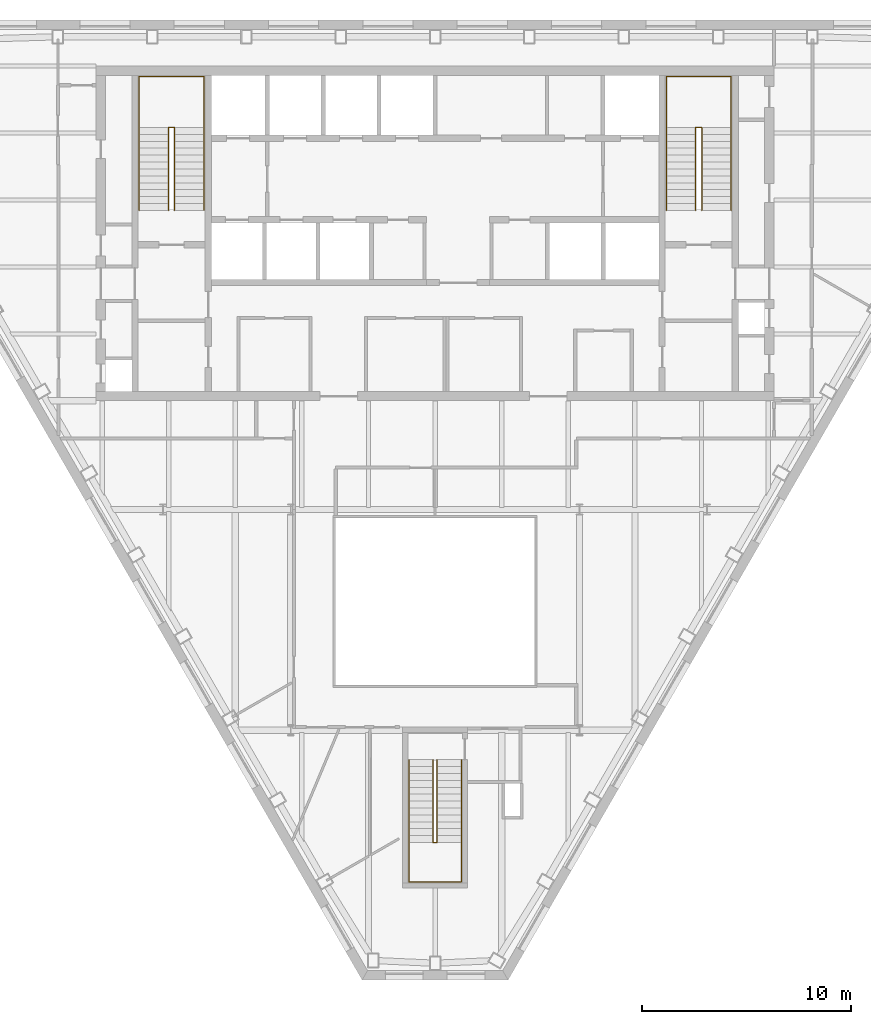
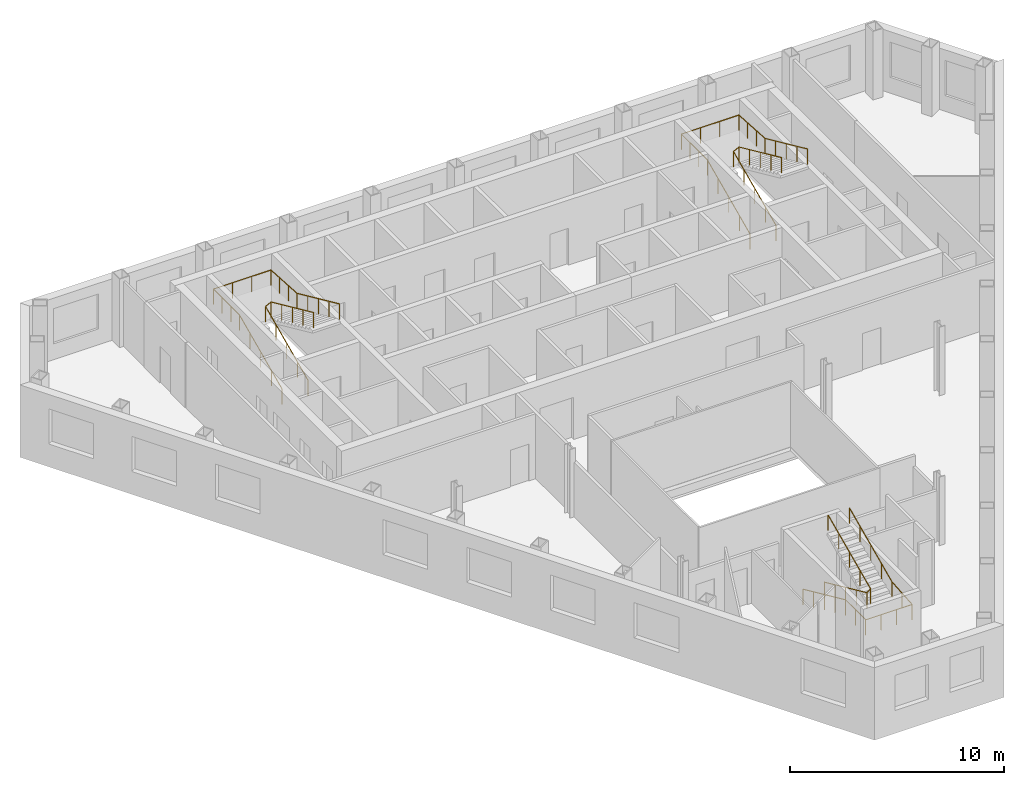
# One storey, part 11 of 11: 6 railings.
"""IFC4 building model written with IfcOpenShell, lengths in metres."""

from ifc_helpers import new_model, si_unit, direction, frame, origin, origin_2d, place, context, subcontext, project, spatial, circle, extrude, material, type_object, element, save


model = new_model("IFC4")

# Units and contexts
model_context = context("Model", 3, precision=1e-05, world=origin(), true_north=direction((0.0, 1.0)))
body_context = subcontext(model_context, "Body", "Model", "MODEL_VIEW")
ifc_project = project(units=[si_unit("LENGTHUNIT", "METRE"), si_unit("AREAUNIT", "SQUARE_METRE"), si_unit("VOLUMEUNIT", "CUBIC_METRE"), si_unit("PLANEANGLEUNIT", "RADIAN"), si_unit("MASSUNIT", "GRAM", prefix="KILO")], contexts=[model_context])

# Site, building, storey
site_placement = place(None, origin())
site = spatial("IfcSite", under=ifc_project, at=site_placement, CompositionType="ELEMENT")
building_placement = place(site_placement, origin())
building = spatial("IfcBuilding", under=site, at=building_placement, Name="Njiva Tower", CompositionType="ELEMENT")
storey_placement = place(building_placement, frame((0.0, 0.0, 223.8)))
storey = spatial("IfcBuildingStorey", under=building, at=storey_placement, Name="L50", CompositionType="ELEMENT", Elevation=223.8)

# Railings
ifc_material = material(Name="Stainless steel", Category="steel")
railing_type = type_object("IfcRailingType", Name="RL1 Stair handrail 900", PredefinedType="HANDRAIL", material=ifc_material)
railing_1_placement = place(storey_placement, frame((-14.15, 11.1, 0.15)))
element("IfcRailing", 1, at=railing_1_placement, inside=storey, type_object=railing_type, Name="Stair A handrail", PredefinedType="HANDRAIL", context=body_context, shape_type="SweptSolid", body=[
    extrude(circle(Radius=0.024, at=origin_2d()), frame((0.0, 0.0, 0.876), z_axis=(0.0, 0.910366477463, 0.413802944301), x_axis=(-1.0, 0.0, 0.0)), (0.0, 0.0, 1.0), 4.3499),
    extrude(circle(Radius=0.024, at=origin_2d()), frame((0.0, 3.96, 2.676), z_axis=(0.0, 1.0, 0.0), x_axis=(-1.0, 0.0, 0.0)), (0.0, 0.0, 1.0), 2.44),
    extrude(circle(Radius=0.024, at=origin_2d()), frame((0.0, 6.4, 2.676), z_axis=(1.0, 0.0, 0.0), x_axis=(0.0, 1.0, 0.0)), (0.0, 0.0, 1.0), 3.1),
    extrude(circle(Radius=0.024, at=origin_2d()), frame((3.1, 6.4, 2.676), z_axis=(0.0, -0.998115726137, 0.061359573328), x_axis=(1.0, 0.0, 0.0)), (0.0, 0.0, 1.0), 2.4446),
    extrude(circle(Radius=0.024, at=origin_2d()), frame((3.1, 3.96, 2.826), z_axis=(0.0, -0.910366477463, 0.413802944301), x_axis=(1.0, 0.0, 0.0)), (0.0, 0.0, 1.0), 4.3499),
    extrude(circle(Radius=0.021, at=origin_2d()), origin(), (0.0, 0.0, 1.0), 0.852),
    extrude(circle(Radius=0.021, at=origin_2d()), frame((0.0, 0.99, 0.45)), (0.0, 0.0, 1.0), 0.852),
    extrude(circle(Radius=0.021, at=origin_2d()), frame((0.0, 1.98, 0.9)), (0.0, 0.0, 1.0), 0.852),
    extrude(circle(Radius=0.021, at=origin_2d()), frame((0.0, 2.97, 1.35)), (0.0, 0.0, 1.0), 0.852),
    extrude(circle(Radius=0.021, at=origin_2d()), frame((0.0, 3.96, 1.8)), (0.0, 0.0, 1.0), 0.852),
    extrude(circle(Radius=0.021, at=origin_2d()), frame((0.0, 4.7733, 1.8)), (0.0, 0.0, 1.0), 0.852),
    extrude(circle(Radius=0.021, at=origin_2d()), frame((0.0, 5.5867, 1.8)), (0.0, 0.0, 1.0), 0.852),
    extrude(circle(Radius=0.021, at=origin_2d()), frame((0.0, 6.4, 1.8)), (0.0, 0.0, 1.0), 0.852),
    extrude(circle(Radius=0.021, at=origin_2d()), frame((1.0333, 6.4, 1.8)), (0.0, 0.0, 1.0), 0.852),
    extrude(circle(Radius=0.021, at=origin_2d()), frame((2.0667, 6.4, 1.8)), (0.0, 0.0, 1.0), 0.852),
    extrude(circle(Radius=0.021, at=origin_2d()), frame((3.1, 6.4, 1.8)), (0.0, 0.0, 1.0), 0.852),
    extrude(circle(Radius=0.021, at=origin_2d()), frame((3.1, 5.5867, 1.85)), (0.0, 0.0, 1.0), 0.852),
    extrude(circle(Radius=0.021, at=origin_2d()), frame((3.1, 4.7733, 1.9)), (0.0, 0.0, 1.0), 0.852),
    extrude(circle(Radius=0.021, at=origin_2d()), frame((3.1, 3.96, 1.95)), (0.0, 0.0, 1.0), 0.852),
    extrude(circle(Radius=0.021, at=origin_2d()), frame((3.1, 2.97, 2.4)), (0.0, 0.0, 1.0), 0.852),
    extrude(circle(Radius=0.021, at=origin_2d()), frame((3.1, 1.98, 2.85)), (0.0, 0.0, 1.0), 0.852),
    extrude(circle(Radius=0.021, at=origin_2d()), frame((3.1, 0.99, 3.3)), (0.0, 0.0, 1.0), 0.852),
    extrude(circle(Radius=0.021, at=origin_2d()), frame((3.1, 0.0, 3.75)), (0.0, 0.0, 1.0), 0.852),
])
railing_2_placement = place(storey_placement, frame((-12.75, 11.1, 0.15)))
element("IfcRailing", 2, at=railing_2_placement, inside=storey, type_object=railing_type, Name="Stair A handrail", PredefinedType="HANDRAIL", context=body_context, shape_type="SweptSolid", body=[
    extrude(circle(Radius=0.024, at=origin_2d()), frame((0.0, 0.0, 0.876), z_axis=(0.0, 0.910366477463, 0.413802944301), x_axis=(-1.0, 0.0, 0.0)), (0.0, 0.0, 1.0), 4.3499),
    extrude(circle(Radius=0.024, at=origin_2d()), frame((0.0, 3.96, 2.676), z_axis=(0.894427191, 0.0, 0.4472135955), x_axis=(0.0, 1.0, 0.0)), (0.0, 0.0, 1.0), 0.3354),
    extrude(circle(Radius=0.024, at=origin_2d()), frame((0.3, 3.96, 2.826), z_axis=(0.0, -0.910366477463, 0.413802944301), x_axis=(1.0, 0.0, 0.0)), (0.0, 0.0, 1.0), 4.3499),
    extrude(circle(Radius=0.021, at=origin_2d()), origin(), (0.0, 0.0, 1.0), 0.852),
    extrude(circle(Radius=0.021, at=origin_2d()), frame((0.0, 0.99, 0.45)), (0.0, 0.0, 1.0), 0.852),
    extrude(circle(Radius=0.021, at=origin_2d()), frame((0.0, 1.98, 0.9)), (0.0, 0.0, 1.0), 0.852),
    extrude(circle(Radius=0.021, at=origin_2d()), frame((0.0, 2.97, 1.35)), (0.0, 0.0, 1.0), 0.852),
    extrude(circle(Radius=0.021, at=origin_2d()), frame((0.0, 3.96, 1.8)), (0.0, 0.0, 1.0), 0.852),
    extrude(circle(Radius=0.021, at=origin_2d()), frame((0.3, 3.96, 1.95)), (0.0, 0.0, 1.0), 0.852),
    extrude(circle(Radius=0.021, at=origin_2d()), frame((0.3, 2.97, 2.4)), (0.0, 0.0, 1.0), 0.852),
    extrude(circle(Radius=0.021, at=origin_2d()), frame((0.3, 1.98, 2.85)), (0.0, 0.0, 1.0), 0.852),
    extrude(circle(Radius=0.021, at=origin_2d()), frame((0.3, 0.99, 3.3)), (0.0, 0.0, 1.0), 0.852),
    extrude(circle(Radius=0.021, at=origin_2d()), frame((0.3, 0.0, 3.75)), (0.0, 0.0, 1.0), 0.852),
])
railing_3_placement = place(storey_placement, frame((11.05, 11.1, 0.15)))
element("IfcRailing", 3, at=railing_3_placement, inside=storey, type_object=railing_type, Name="Stair B handrail", PredefinedType="HANDRAIL", context=body_context, shape_type="SweptSolid", body=[
    extrude(circle(Radius=0.024, at=origin_2d()), frame((0.0, 0.0, 0.876), z_axis=(0.0, 0.910366477463, 0.413802944301), x_axis=(-1.0, 0.0, 0.0)), (0.0, 0.0, 1.0), 4.3499),
    extrude(circle(Radius=0.024, at=origin_2d()), frame((0.0, 3.96, 2.676), z_axis=(0.0, 1.0, 0.0), x_axis=(-1.0, 0.0, 0.0)), (0.0, 0.0, 1.0), 2.44),
    extrude(circle(Radius=0.024, at=origin_2d()), frame((0.0, 6.4, 2.676), z_axis=(1.0, 0.0, 0.0), x_axis=(0.0, 1.0, 0.0)), (0.0, 0.0, 1.0), 3.1),
    extrude(circle(Radius=0.024, at=origin_2d()), frame((3.1, 6.4, 2.676), z_axis=(0.0, -0.998115726137, 0.061359573328), x_axis=(1.0, 0.0, 0.0)), (0.0, 0.0, 1.0), 2.4446),
    extrude(circle(Radius=0.024, at=origin_2d()), frame((3.1, 3.96, 2.826), z_axis=(0.0, -0.910366477463, 0.413802944301), x_axis=(1.0, 0.0, 0.0)), (0.0, 0.0, 1.0), 4.3499),
    extrude(circle(Radius=0.021, at=origin_2d()), origin(), (0.0, 0.0, 1.0), 0.852),
    extrude(circle(Radius=0.021, at=origin_2d()), frame((0.0, 0.99, 0.45)), (0.0, 0.0, 1.0), 0.852),
    extrude(circle(Radius=0.021, at=origin_2d()), frame((0.0, 1.98, 0.9)), (0.0, 0.0, 1.0), 0.852),
    extrude(circle(Radius=0.021, at=origin_2d()), frame((0.0, 2.97, 1.35)), (0.0, 0.0, 1.0), 0.852),
    extrude(circle(Radius=0.021, at=origin_2d()), frame((0.0, 3.96, 1.8)), (0.0, 0.0, 1.0), 0.852),
    extrude(circle(Radius=0.021, at=origin_2d()), frame((0.0, 4.7733, 1.8)), (0.0, 0.0, 1.0), 0.852),
    extrude(circle(Radius=0.021, at=origin_2d()), frame((0.0, 5.5867, 1.8)), (0.0, 0.0, 1.0), 0.852),
    extrude(circle(Radius=0.021, at=origin_2d()), frame((0.0, 6.4, 1.8)), (0.0, 0.0, 1.0), 0.852),
    extrude(circle(Radius=0.021, at=origin_2d()), frame((1.0333, 6.4, 1.8)), (0.0, 0.0, 1.0), 0.852),
    extrude(circle(Radius=0.021, at=origin_2d()), frame((2.0667, 6.4, 1.8)), (0.0, 0.0, 1.0), 0.852),
    extrude(circle(Radius=0.021, at=origin_2d()), frame((3.1, 6.4, 1.8)), (0.0, 0.0, 1.0), 0.852),
    extrude(circle(Radius=0.021, at=origin_2d()), frame((3.1, 5.5867, 1.85)), (0.0, 0.0, 1.0), 0.852),
    extrude(circle(Radius=0.021, at=origin_2d()), frame((3.1, 4.7733, 1.9)), (0.0, 0.0, 1.0), 0.852),
    extrude(circle(Radius=0.021, at=origin_2d()), frame((3.1, 3.96, 1.95)), (0.0, 0.0, 1.0), 0.852),
    extrude(circle(Radius=0.021, at=origin_2d()), frame((3.1, 2.97, 2.4)), (0.0, 0.0, 1.0), 0.852),
    extrude(circle(Radius=0.021, at=origin_2d()), frame((3.1, 1.98, 2.85)), (0.0, 0.0, 1.0), 0.852),
    extrude(circle(Radius=0.021, at=origin_2d()), frame((3.1, 0.99, 3.3)), (0.0, 0.0, 1.0), 0.852),
    extrude(circle(Radius=0.021, at=origin_2d()), frame((3.1, 0.0, 3.75)), (0.0, 0.0, 1.0), 0.852),
])
railing_4_placement = place(storey_placement, frame((12.45, 11.1, 0.15)))
element("IfcRailing", 4, at=railing_4_placement, inside=storey, type_object=railing_type, Name="Stair B handrail", PredefinedType="HANDRAIL", context=body_context, shape_type="SweptSolid", body=[
    extrude(circle(Radius=0.024, at=origin_2d()), frame((0.0, 0.0, 0.876), z_axis=(0.0, 0.910366477463, 0.413802944301), x_axis=(-1.0, 0.0, 0.0)), (0.0, 0.0, 1.0), 4.3499),
    extrude(circle(Radius=0.024, at=origin_2d()), frame((0.0, 3.96, 2.676), z_axis=(0.894427191, 0.0, 0.4472135955), x_axis=(0.0, 1.0, 0.0)), (0.0, 0.0, 1.0), 0.3354),
    extrude(circle(Radius=0.024, at=origin_2d()), frame((0.3, 3.96, 2.826), z_axis=(0.0, -0.910366477463, 0.413802944301), x_axis=(1.0, 0.0, 0.0)), (0.0, 0.0, 1.0), 4.3499),
    extrude(circle(Radius=0.021, at=origin_2d()), origin(), (0.0, 0.0, 1.0), 0.852),
    extrude(circle(Radius=0.021, at=origin_2d()), frame((0.0, 0.99, 0.45)), (0.0, 0.0, 1.0), 0.852),
    extrude(circle(Radius=0.021, at=origin_2d()), frame((0.0, 1.98, 0.9)), (0.0, 0.0, 1.0), 0.852),
    extrude(circle(Radius=0.021, at=origin_2d()), frame((0.0, 2.97, 1.35)), (0.0, 0.0, 1.0), 0.852),
    extrude(circle(Radius=0.021, at=origin_2d()), frame((0.0, 3.96, 1.8)), (0.0, 0.0, 1.0), 0.852),
    extrude(circle(Radius=0.021, at=origin_2d()), frame((0.3, 3.96, 1.95)), (0.0, 0.0, 1.0), 0.852),
    extrude(circle(Radius=0.021, at=origin_2d()), frame((0.3, 2.97, 2.4)), (0.0, 0.0, 1.0), 0.852),
    extrude(circle(Radius=0.021, at=origin_2d()), frame((0.3, 1.98, 2.85)), (0.0, 0.0, 1.0), 0.852),
    extrude(circle(Radius=0.021, at=origin_2d()), frame((0.3, 0.99, 3.3)), (0.0, 0.0, 1.0), 0.852),
    extrude(circle(Radius=0.021, at=origin_2d()), frame((0.3, 0.0, 3.75)), (0.0, 0.0, 1.0), 0.852),
])
railing_5_placement = place(storey_placement, frame((-1.25, -15.16, 0.15)))
element("IfcRailing", 5, at=railing_5_placement, inside=storey, type_object=railing_type, Name="Stair C handrail", PredefinedType="HANDRAIL", context=body_context, shape_type="SweptSolid", body=[
    extrude(circle(Radius=0.024, at=origin_2d()), frame((0.0, 0.0, 0.876), z_axis=(0.0, -0.910366477463, 0.413802944301), x_axis=(1.0, 0.0, 0.0)), (0.0, 0.0, 1.0), 4.3499),
    extrude(circle(Radius=0.024, at=origin_2d()), frame((0.0, -3.96, 2.676), z_axis=(0.0, -1.0, 0.0), x_axis=(1.0, 0.0, 0.0)), (0.0, 0.0, 1.0), 1.88),
    extrude(circle(Radius=0.024, at=origin_2d()), frame((0.0, -5.84, 2.676), z_axis=(1.0, 0.0, 0.0), x_axis=(0.0, 1.0, 0.0)), (0.0, 0.0, 1.0), 2.5),
    extrude(circle(Radius=0.024, at=origin_2d()), frame((2.5, -5.84, 2.676), z_axis=(0.0, 0.996832115713, 0.079534477318), x_axis=(-1.0, 0.0, 0.0)), (0.0, 0.0, 1.0), 1.886),
    extrude(circle(Radius=0.024, at=origin_2d()), frame((2.5, -3.96, 2.826), z_axis=(0.0, 0.910366477463, 0.413802944301), x_axis=(-1.0, 0.0, 0.0)), (0.0, 0.0, 1.0), 4.3499),
    extrude(circle(Radius=0.021, at=origin_2d()), origin(), (0.0, 0.0, 1.0), 0.852),
    extrude(circle(Radius=0.021, at=origin_2d()), frame((0.0, -0.99, 0.45)), (0.0, 0.0, 1.0), 0.852),
    extrude(circle(Radius=0.021, at=origin_2d()), frame((0.0, -1.98, 0.9)), (0.0, 0.0, 1.0), 0.852),
    extrude(circle(Radius=0.021, at=origin_2d()), frame((0.0, -2.97, 1.35)), (0.0, 0.0, 1.0), 0.852),
    extrude(circle(Radius=0.021, at=origin_2d()), frame((0.0, -3.96, 1.8)), (0.0, 0.0, 1.0), 0.852),
    extrude(circle(Radius=0.021, at=origin_2d()), frame((0.0, -4.9, 1.8)), (0.0, 0.0, 1.0), 0.852),
    extrude(circle(Radius=0.021, at=origin_2d()), frame((0.0, -5.84, 1.8)), (0.0, 0.0, 1.0), 0.852),
    extrude(circle(Radius=0.021, at=origin_2d()), frame((0.8333, -5.84, 1.8)), (0.0, 0.0, 1.0), 0.852),
    extrude(circle(Radius=0.021, at=origin_2d()), frame((1.6667, -5.84, 1.8)), (0.0, 0.0, 1.0), 0.852),
    extrude(circle(Radius=0.021, at=origin_2d()), frame((2.5, -5.84, 1.8)), (0.0, 0.0, 1.0), 0.852),
    extrude(circle(Radius=0.021, at=origin_2d()), frame((2.5, -4.9, 1.875)), (0.0, 0.0, 1.0), 0.852),
    extrude(circle(Radius=0.021, at=origin_2d()), frame((2.5, -3.96, 1.95)), (0.0, 0.0, 1.0), 0.852),
    extrude(circle(Radius=0.021, at=origin_2d()), frame((2.5, -2.97, 2.4)), (0.0, 0.0, 1.0), 0.852),
    extrude(circle(Radius=0.021, at=origin_2d()), frame((2.5, -1.98, 2.85)), (0.0, 0.0, 1.0), 0.852),
    extrude(circle(Radius=0.021, at=origin_2d()), frame((2.5, -0.99, 3.3)), (0.0, 0.0, 1.0), 0.852),
    extrude(circle(Radius=0.021, at=origin_2d()), frame((2.5, 0.0, 3.75)), (0.0, 0.0, 1.0), 0.852),
])
railing_6_placement = place(storey_placement, frame((-0.1, -15.16, 0.15)))
element("IfcRailing", 6, at=railing_6_placement, inside=storey, type_object=railing_type, Name="Stair C handrail", PredefinedType="HANDRAIL", context=body_context, shape_type="SweptSolid", body=[
    extrude(circle(Radius=0.024, at=origin_2d()), frame((0.0, 0.0, 0.876), z_axis=(0.0, -0.910366477463, 0.413802944301), x_axis=(1.0, 0.0, 0.0)), (0.0, 0.0, 1.0), 4.3499),
    extrude(circle(Radius=0.024, at=origin_2d()), frame((0.0, -3.96, 2.676), z_axis=(0.8, 0.0, 0.6), x_axis=(0.0, 1.0, 0.0)), (0.0, 0.0, 1.0), 0.25),
    extrude(circle(Radius=0.024, at=origin_2d()), frame((0.2, -3.96, 2.826), z_axis=(0.0, 0.910366477463, 0.413802944301), x_axis=(-1.0, 0.0, 0.0)), (0.0, 0.0, 1.0), 4.3499),
    extrude(circle(Radius=0.021, at=origin_2d()), origin(), (0.0, 0.0, 1.0), 0.852),
    extrude(circle(Radius=0.021, at=origin_2d()), frame((0.0, -0.99, 0.45)), (0.0, 0.0, 1.0), 0.852),
    extrude(circle(Radius=0.021, at=origin_2d()), frame((0.0, -1.98, 0.9)), (0.0, 0.0, 1.0), 0.852),
    extrude(circle(Radius=0.021, at=origin_2d()), frame((0.0, -2.97, 1.35)), (0.0, 0.0, 1.0), 0.852),
    extrude(circle(Radius=0.021, at=origin_2d()), frame((0.0, -3.96, 1.8)), (0.0, 0.0, 1.0), 0.852),
    extrude(circle(Radius=0.021, at=origin_2d()), frame((0.2, -3.96, 1.95)), (0.0, 0.0, 1.0), 0.852),
    extrude(circle(Radius=0.021, at=origin_2d()), frame((0.2, -2.97, 2.4)), (0.0, 0.0, 1.0), 0.852),
    extrude(circle(Radius=0.021, at=origin_2d()), frame((0.2, -1.98, 2.85)), (0.0, 0.0, 1.0), 0.852),
    extrude(circle(Radius=0.021, at=origin_2d()), frame((0.2, -0.99, 3.3)), (0.0, 0.0, 1.0), 0.852),
    extrude(circle(Radius=0.021, at=origin_2d()), frame((0.2, 0.0, 3.75)), (0.0, 0.0, 1.0), 0.852),
])

save(model, "model.ifc")
